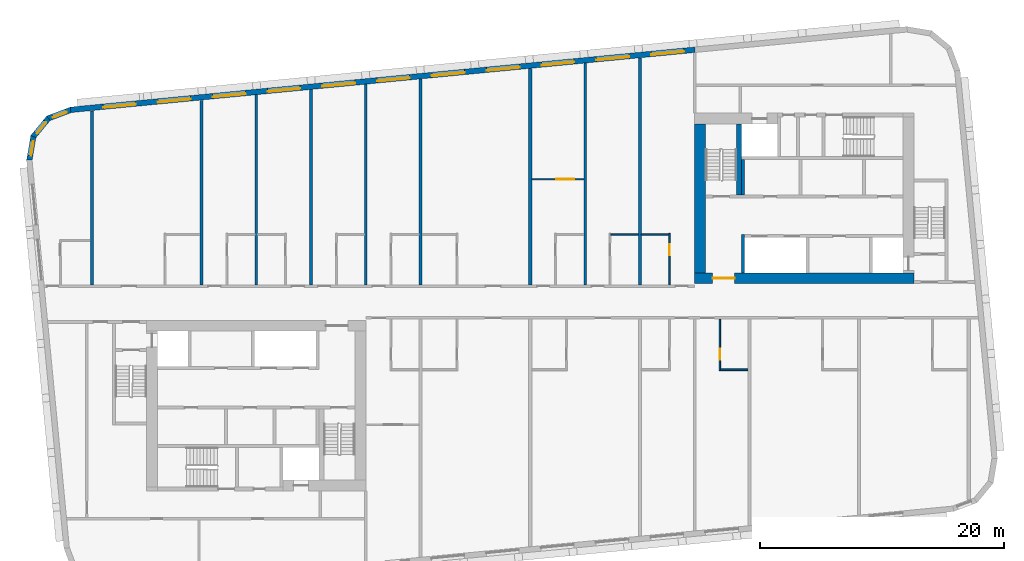
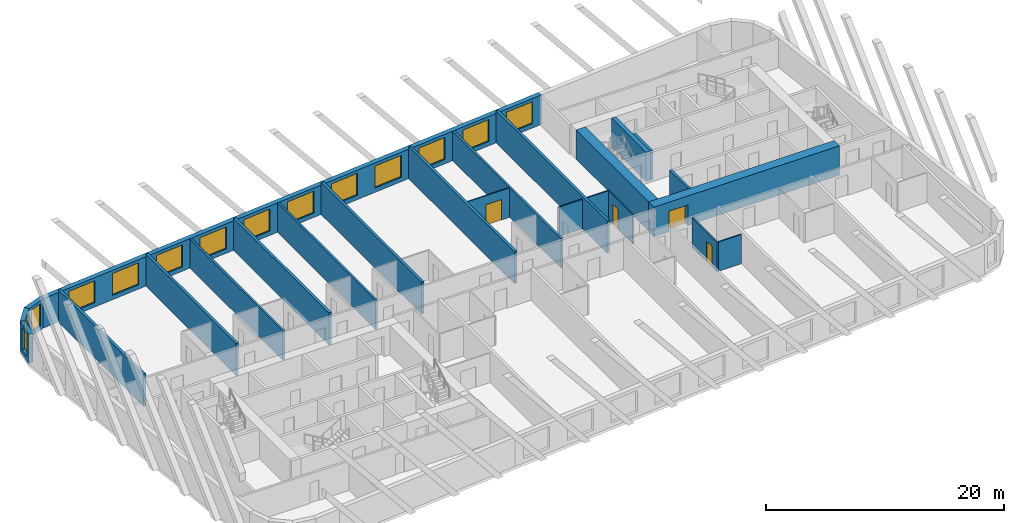
# One storey, part 5 of 12: 24 walls, 14 windows, 4 doors, 18 openings.
"""IFC4 building model written with IfcOpenShell, lengths in metres."""

from ifc_helpers import new_model, si_unit, direction, frame, frame_2d, origin, place, context, subcontext, project, spatial, polyline, rectangle, outline, extrude, material, layer, layer_set, type_object, element, fill, save


model = new_model("IFC4")

# Units and contexts
model_context = context("Model", 3, precision=1e-05, world=origin(), true_north=direction((0.0, 1.0)))
body_context = subcontext(model_context, "Body", "Model", "MODEL_VIEW")
ifc_project = project(units=[si_unit("LENGTHUNIT", "METRE"), si_unit("AREAUNIT", "SQUARE_METRE"), si_unit("VOLUMEUNIT", "CUBIC_METRE"), si_unit("PLANEANGLEUNIT", "RADIAN"), si_unit("MASSUNIT", "GRAM", prefix="KILO")], contexts=[model_context])

# Site, building, storey
site_placement = place(None, origin())
site = spatial("IfcSite", under=ifc_project, at=site_placement, CompositionType="ELEMENT")
building_placement = place(site_placement, origin())
building = spatial("IfcBuilding", under=site, at=building_placement, Name="Kajstack Hotel Tower", CompositionType="ELEMENT")
storey_placement = place(building_placement, frame((0.0, 0.0, 288.300048828125)))
storey = spatial("IfcBuildingStorey", under=building, at=storey_placement, Name="L72", CompositionType="ELEMENT", Elevation=288.300048828125)

# Wall, opening, door
ifc_material_1 = material(Name="Concrete C60/75", Category="concrete")
ifc_layer_1 = layer(ifc_material_1, 0.89990234375)
ifc_layer_set_1 = layer_set([ifc_layer_1], Name="Core wall 900")
wall_type_1 = type_object("IfcWallType", Name="Core wall 900", PredefinedType="SHEAR", material=ifc_layer_set_1)
wall_1_placement = place(storey_placement, frame((13.5, 1.949951171875, 0.0), z_axis=(0.0, 0.0, 1.0), x_axis=(1.0, 0.0, 0.0)))
wall_1 = element("IfcWall", 1, at=wall_1_placement, inside=storey, type_object=wall_type_1, Name="Core wall E RN", PredefinedType="SHEAR", context=body_context, shape_type="SweptSolid", body=[
    extrude(rectangle(XDim=18.0, YDim=0.89990234375, at=frame_2d((9.0, 0.0))), origin(), (0.0, 0.0, 1.0), 3.02001953125),
])
opening_1_placement = place(wall_1_placement, frame((1.47509765625, 0.0, 0.0)))
opening_1 = element("IfcOpeningElement", 2, at=opening_1_placement, cuts=wall_1, Name="Opening 72E05", PredefinedType="OPENING", context=body_context, shape_type="SweptSolid", body=[
    extrude(rectangle(XDim=1.800048828125, YDim=2.10009765625, at=frame_2d((0.89990234375, 1.050048828125))), frame((0.0, 0.4599609375, 0.0), z_axis=(0.0, -1.0, 0.0), x_axis=(1.0, 0.0, 0.0)), (0.0, 0.0, 1.0), 0.919921875),
])
ifc_material_2 = material(Name="Glazed steel frame, fire-rated glass", Category="steel")
door_type_1 = type_object("IfcDoorType", Name="Lobby double door 1800", OperationType="DOUBLE_DOOR_DOUBLE_SWING", PredefinedType="DOOR", material=ifc_material_2)
door_1_placement = place(opening_1_placement, origin())
door_1 = element("IfcDoor", 3, at=door_1_placement, inside=storey, type_object=door_type_1, Name="Door 72E05", OperationType="DOUBLE_DOOR_DOUBLE_SWING", OverallHeight=2.10009765625, OverallWidth=1.800048828125, PredefinedType="DOOR", context=body_context, shape_type="SweptSolid", body=[
    extrude(rectangle(XDim=1.800048828125, YDim=2.10009765625, at=frame_2d((0.89990234375, 1.050048828125))), frame((0.0, 0.02490234375, 0.0), z_axis=(0.0, -1.0, 0.0), x_axis=(1.0, 0.0, 0.0)), (0.0, 0.0, 1.0), 0.050048828125),
])
fill(opening_1, door_1)

# Walls
wall_2_placement = place(storey_placement, frame((13.949951171875, 2.39990234375, 0.0), z_axis=(0.0, 0.0, 1.0), x_axis=(0.0, 1.0, 0.0)))
element("IfcWall", 4, at=wall_2_placement, inside=storey, type_object=wall_type_1, Name="Core wall E RE", PredefinedType="SHEAR", context=body_context, shape_type="SweptSolid", body=[
    extrude(rectangle(XDim=12.2001953125, YDim=0.89990234375, at=frame_2d((6.10009765625, 0.0))), origin(), (0.0, 0.0, 1.0), 3.02001953125),
])
ifc_material_3 = material(Name="Twin-frame gypsum board on steel studs, mineral wool", Category="steel")
ifc_layer_2 = layer(ifc_material_3, 0.199951171875)
ifc_layer_set_2 = layer_set([ifc_layer_2], Name="Demising wall 200")
wall_type_2 = type_object("IfcWallType", Name="Demising wall 200", PredefinedType="PARTITIONING", material=ifc_layer_set_2)
wall_3_placement = place(storey_placement, frame((-22.5, 1.39990234375, 0.0), z_axis=(0.0, 0.0, 1.0), x_axis=(0.0, 1.0, 0.0)))
element("IfcWall", 5, at=wall_3_placement, inside=storey, type_object=wall_type_2, Name="G-wall-L72-008", PredefinedType="PARTITIONING", context=body_context, shape_type="SweptSolid", body=[
    extrude(rectangle(XDim=15.6181640625, YDim=0.199951171875, at=frame_2d((7.80908203125, 0.0))), origin(), (0.0, 0.0, 1.0), 3.02001953125),
])
wall_4_placement = place(storey_placement, frame((-13.5, 1.39990234375, 0.0), z_axis=(0.0, 0.0, 1.0), x_axis=(0.0, 1.0, 0.0)))
element("IfcWall", 6, at=wall_4_placement, inside=storey, type_object=wall_type_2, Name="G-wall-L72-013", PredefinedType="PARTITIONING", context=body_context, shape_type="SweptSolid", body=[
    extrude(rectangle(XDim=16.485107421875, YDim=0.199951171875, at=frame_2d((8.24267578125, 0.0))), origin(), (0.0, 0.0, 1.0), 3.02001953125),
])
wall_5_placement = place(storey_placement, frame((4.5, 1.39990234375, 0.0), z_axis=(0.0, 0.0, 1.0), x_axis=(0.0, 1.0, 0.0)))
element("IfcWall", 7, at=wall_5_placement, inside=storey, type_object=wall_type_2, Name="G-wall-L72-020", PredefinedType="PARTITIONING", context=body_context, shape_type="SweptSolid", body=[
    extrude(rectangle(XDim=18.218017578125, YDim=0.199951171875, at=frame_2d((9.10888671875, 0.0))), origin(), (0.0, 0.0, 1.0), 3.02001953125),
])

# Wall, openings, windows
ifc_material_4 = material(Name="Terracotta-faced brick masonry", Category="masonry")
ifc_layer_3 = layer(ifc_material_4, 0.449951171875)
ifc_layer_set_3 = layer_set([ifc_layer_3], Name="EW-TERRA")
wall_type_3 = type_object("IfcWallType", Name="EW-TERRA", PredefinedType="SOLIDWALL", material=ifc_layer_set_3)
wall_6_placement = place(storey_placement, frame((13.521484375, 20.712890625, 0.0), z_axis=(0.0, 0.0, 1.0), x_axis=(-0.995396277313, -0.095844932638, 0.0)))
wall_6 = element("IfcWall", 8, at=wall_6_placement, inside=storey, type_object=wall_type_3, Name="E-wall-L72-12-01", PredefinedType="SOLIDWALL", context=body_context, shape_type="SweptSolid", body=[
    extrude(rectangle(XDim=51.4951171875, YDim=0.449951171875, at=frame_2d((25.74755859375, 0.0))), origin(), (0.0, 0.0, 1.0), 3.02001953125),
])
opening_2_placement = place(wall_6_placement, frame((0.910400390625, 0.0, 0.449951171875)))
opening_2 = element("IfcOpeningElement", 9, at=opening_2_placement, cuts=wall_6, Name="Opening W1", PredefinedType="OPENING", context=body_context, shape_type="SweptSolid", body=[
    extrude(rectangle(XDim=2.699951171875, YDim=2.25, at=frame_2d((1.35009765625, 1.125))), frame((0.0, 0.23486328125, 0.0), z_axis=(0.0, -1.0, 0.0), x_axis=(1.0, 0.0, 0.0)), (0.0, 0.0, 1.0), 0.469970703125),
])
opening_3_placement = place(wall_6_placement, frame((5.43115234375, 0.0, 0.449951171875)))
opening_3 = element("IfcOpeningElement", 10, at=opening_3_placement, cuts=wall_6, Name="Opening W1", PredefinedType="OPENING", context=body_context, shape_type="SweptSolid", body=[
    extrude(rectangle(XDim=2.699951171875, YDim=2.25, at=frame_2d((1.35009765625, 1.125))), frame((0.0, 0.23486328125, 0.0), z_axis=(0.0, -1.0, 0.0), x_axis=(1.0, 0.0, 0.0)), (0.0, 0.0, 1.0), 0.469970703125),
])
opening_4_placement = place(wall_6_placement, frame((9.951904296875, 0.0, 0.449951171875)))
opening_4 = element("IfcOpeningElement", 11, at=opening_4_placement, cuts=wall_6, Name="Opening W1", PredefinedType="OPENING", context=body_context, shape_type="SweptSolid", body=[
    extrude(rectangle(XDim=2.699951171875, YDim=2.25, at=frame_2d((1.35009765625, 1.125))), frame((0.0, 0.23486328125, 0.0), z_axis=(0.0, -1.0, 0.0), x_axis=(1.0, 0.0, 0.0)), (0.0, 0.0, 1.0), 0.469970703125),
])
opening_5_placement = place(wall_6_placement, frame((14.472900390625, 0.0, 0.449951171875)))
opening_5 = element("IfcOpeningElement", 12, at=opening_5_placement, cuts=wall_6, Name="Opening W1", PredefinedType="OPENING", context=body_context, shape_type="SweptSolid", body=[
    extrude(rectangle(XDim=2.699951171875, YDim=2.25, at=frame_2d((1.35009765625, 1.125))), frame((0.0, 0.23486328125, 0.0), z_axis=(0.0, -1.0, 0.0), x_axis=(1.0, 0.0, 0.0)), (0.0, 0.0, 1.0), 0.469970703125),
])
opening_6_placement = place(wall_6_placement, frame((18.99365234375, 0.0, 0.449951171875)))
opening_6 = element("IfcOpeningElement", 13, at=opening_6_placement, cuts=wall_6, Name="Opening W1", PredefinedType="OPENING", context=body_context, shape_type="SweptSolid", body=[
    extrude(rectangle(XDim=2.699951171875, YDim=2.25, at=frame_2d((1.35009765625, 1.125))), frame((0.0, 0.23486328125, 0.0), z_axis=(0.0, -1.0, 0.0), x_axis=(1.0, 0.0, 0.0)), (0.0, 0.0, 1.0), 0.469970703125),
])
opening_7_placement = place(wall_6_placement, frame((23.514404296875, 0.0, 0.449951171875)))
opening_7 = element("IfcOpeningElement", 14, at=opening_7_placement, cuts=wall_6, Name="Opening W1", PredefinedType="OPENING", context=body_context, shape_type="SweptSolid", body=[
    extrude(rectangle(XDim=2.699951171875, YDim=2.25, at=frame_2d((1.35009765625, 1.125))), frame((0.0, 0.23486328125, 0.0), z_axis=(0.0, -1.0, 0.0), x_axis=(1.0, 0.0, 0.0)), (0.0, 0.0, 1.0), 0.469970703125),
])
opening_8_placement = place(wall_6_placement, frame((28.035400390625, 0.0, 0.449951171875)))
opening_8 = element("IfcOpeningElement", 15, at=opening_8_placement, cuts=wall_6, Name="Opening W1", PredefinedType="OPENING", context=body_context, shape_type="SweptSolid", body=[
    extrude(rectangle(XDim=2.699951171875, YDim=2.25, at=frame_2d((1.35009765625, 1.125))), frame((0.0, 0.23486328125, 0.0), z_axis=(0.0, -1.0, 0.0), x_axis=(1.0, 0.0, 0.0)), (0.0, 0.0, 1.0), 0.469970703125),
])
opening_9_placement = place(wall_6_placement, frame((32.55615234375, 0.0, 0.449951171875)))
opening_9 = element("IfcOpeningElement", 16, at=opening_9_placement, cuts=wall_6, Name="Opening W1", PredefinedType="OPENING", context=body_context, shape_type="SweptSolid", body=[
    extrude(rectangle(XDim=2.699951171875, YDim=2.25, at=frame_2d((1.35009765625, 1.125))), frame((0.0, 0.23486328125, 0.0), z_axis=(0.0, -1.0, 0.0), x_axis=(1.0, 0.0, 0.0)), (0.0, 0.0, 1.0), 0.469970703125),
])
opening_10_placement = place(wall_6_placement, frame((37.076904296875, 0.0, 0.449951171875)))
opening_10 = element("IfcOpeningElement", 17, at=opening_10_placement, cuts=wall_6, Name="Opening W1", PredefinedType="OPENING", context=body_context, shape_type="SweptSolid", body=[
    extrude(rectangle(XDim=2.699951171875, YDim=2.25, at=frame_2d((1.35009765625, 1.125))), frame((0.0, 0.23486328125, 0.0), z_axis=(0.0, -1.0, 0.0), x_axis=(1.0, 0.0, 0.0)), (0.0, 0.0, 1.0), 0.469970703125),
])
opening_11_placement = place(wall_6_placement, frame((41.59765625, 0.0, 0.449951171875)))
opening_11 = element("IfcOpeningElement", 18, at=opening_11_placement, cuts=wall_6, Name="Opening W1", PredefinedType="OPENING", context=body_context, shape_type="SweptSolid", body=[
    extrude(rectangle(XDim=2.699951171875, YDim=2.25, at=frame_2d((1.35009765625, 1.125))), frame((0.0, 0.23486328125, 0.0), z_axis=(0.0, -1.0, 0.0), x_axis=(1.0, 0.0, 0.0)), (0.0, 0.0, 1.0), 0.469970703125),
])
opening_12_placement = place(wall_6_placement, frame((46.118408203125, 0.0, 0.449951171875)))
opening_12 = element("IfcOpeningElement", 19, at=opening_12_placement, cuts=wall_6, Name="Opening W1", PredefinedType="OPENING", context=body_context, shape_type="SweptSolid", body=[
    extrude(rectangle(XDim=2.699951171875, YDim=2.25, at=frame_2d((1.35009765625, 1.125))), frame((0.0, 0.23486328125, 0.0), z_axis=(0.0, -1.0, 0.0), x_axis=(1.0, 0.0, 0.0)), (0.0, 0.0, 1.0), 0.469970703125),
])
ifc_material_5 = material(Name="Timber-aluminium window, triple glazed", Category="wood")
window_type_1 = type_object("IfcWindowType", Name="WG1", PartitioningType="SINGLE_PANEL", PredefinedType="WINDOW", material=ifc_material_5)
window_1_placement = place(opening_2_placement, origin())
window_1 = element("IfcWindow", 20, at=window_1_placement, inside=storey, type_object=window_type_1, Name="Window W1 L72-12", OverallHeight=2.25, OverallWidth=2.699951171875, PartitioningType="SINGLE_PANEL", PredefinedType="WINDOW", context=body_context, shape_type="SweptSolid", body=[
    extrude(rectangle(XDim=2.699951171875, YDim=2.25, at=frame_2d((1.35009765625, 1.125))), frame((0.0, 0.090087890625, 0.0), z_axis=(0.0, -1.0, 0.0), x_axis=(1.0, 0.0, 0.0)), (0.0, 0.0, 1.0), 0.06005859375),
])
fill(opening_2, window_1)
window_2_placement = place(opening_3_placement, origin())
window_2 = element("IfcWindow", 21, at=window_2_placement, inside=storey, type_object=window_type_1, Name="Window W1 L72-12", OverallHeight=2.25, OverallWidth=2.699951171875, PartitioningType="SINGLE_PANEL", PredefinedType="WINDOW", context=body_context, shape_type="SweptSolid", body=[
    extrude(rectangle(XDim=2.699951171875, YDim=2.25, at=frame_2d((1.35009765625, 1.125))), frame((0.0, 0.090087890625, 0.0), z_axis=(0.0, -1.0, 0.0), x_axis=(1.0, 0.0, 0.0)), (0.0, 0.0, 1.0), 0.06005859375),
])
fill(opening_3, window_2)
window_3_placement = place(opening_4_placement, origin())
window_3 = element("IfcWindow", 22, at=window_3_placement, inside=storey, type_object=window_type_1, Name="Window W1 L72-12", OverallHeight=2.25, OverallWidth=2.699951171875, PartitioningType="SINGLE_PANEL", PredefinedType="WINDOW", context=body_context, shape_type="SweptSolid", body=[
    extrude(rectangle(XDim=2.699951171875, YDim=2.25, at=frame_2d((1.35009765625, 1.125))), frame((0.0, 0.090087890625, 0.0), z_axis=(0.0, -1.0, 0.0), x_axis=(1.0, 0.0, 0.0)), (0.0, 0.0, 1.0), 0.06005859375),
])
fill(opening_4, window_3)
window_4_placement = place(opening_5_placement, origin())
window_4 = element("IfcWindow", 23, at=window_4_placement, inside=storey, type_object=window_type_1, Name="Window W1 L72-12", OverallHeight=2.25, OverallWidth=2.699951171875, PartitioningType="SINGLE_PANEL", PredefinedType="WINDOW", context=body_context, shape_type="SweptSolid", body=[
    extrude(rectangle(XDim=2.699951171875, YDim=2.25, at=frame_2d((1.35009765625, 1.125))), frame((0.0, 0.090087890625, 0.0), z_axis=(0.0, -1.0, 0.0), x_axis=(1.0, 0.0, 0.0)), (0.0, 0.0, 1.0), 0.06005859375),
])
fill(opening_5, window_4)
window_5_placement = place(opening_6_placement, origin())
window_5 = element("IfcWindow", 24, at=window_5_placement, inside=storey, type_object=window_type_1, Name="Window W1 L72-12", OverallHeight=2.25, OverallWidth=2.699951171875, PartitioningType="SINGLE_PANEL", PredefinedType="WINDOW", context=body_context, shape_type="SweptSolid", body=[
    extrude(rectangle(XDim=2.699951171875, YDim=2.25, at=frame_2d((1.35009765625, 1.125))), frame((0.0, 0.090087890625, 0.0), z_axis=(0.0, -1.0, 0.0), x_axis=(1.0, 0.0, 0.0)), (0.0, 0.0, 1.0), 0.06005859375),
])
fill(opening_6, window_5)
window_6_placement = place(opening_7_placement, origin())
window_6 = element("IfcWindow", 25, at=window_6_placement, inside=storey, type_object=window_type_1, Name="Window W1 L72-12", OverallHeight=2.25, OverallWidth=2.699951171875, PartitioningType="SINGLE_PANEL", PredefinedType="WINDOW", context=body_context, shape_type="SweptSolid", body=[
    extrude(rectangle(XDim=2.699951171875, YDim=2.25, at=frame_2d((1.35009765625, 1.125))), frame((0.0, 0.090087890625, 0.0), z_axis=(0.0, -1.0, 0.0), x_axis=(1.0, 0.0, 0.0)), (0.0, 0.0, 1.0), 0.06005859375),
])
fill(opening_7, window_6)
window_7_placement = place(opening_8_placement, origin())
window_7 = element("IfcWindow", 26, at=window_7_placement, inside=storey, type_object=window_type_1, Name="Window W1 L72-12", OverallHeight=2.25, OverallWidth=2.699951171875, PartitioningType="SINGLE_PANEL", PredefinedType="WINDOW", context=body_context, shape_type="SweptSolid", body=[
    extrude(rectangle(XDim=2.699951171875, YDim=2.25, at=frame_2d((1.35009765625, 1.125))), frame((0.0, 0.090087890625, 0.0), z_axis=(0.0, -1.0, 0.0), x_axis=(1.0, 0.0, 0.0)), (0.0, 0.0, 1.0), 0.06005859375),
])
fill(opening_8, window_7)
window_8_placement = place(opening_9_placement, origin())
window_8 = element("IfcWindow", 27, at=window_8_placement, inside=storey, type_object=window_type_1, Name="Window W1 L72-12", OverallHeight=2.25, OverallWidth=2.699951171875, PartitioningType="SINGLE_PANEL", PredefinedType="WINDOW", context=body_context, shape_type="SweptSolid", body=[
    extrude(rectangle(XDim=2.699951171875, YDim=2.25, at=frame_2d((1.35009765625, 1.125))), frame((0.0, 0.090087890625, 0.0), z_axis=(0.0, -1.0, 0.0), x_axis=(1.0, 0.0, 0.0)), (0.0, 0.0, 1.0), 0.06005859375),
])
fill(opening_9, window_8)
window_9_placement = place(opening_10_placement, origin())
window_9 = element("IfcWindow", 28, at=window_9_placement, inside=storey, type_object=window_type_1, Name="Window W1 L72-12", OverallHeight=2.25, OverallWidth=2.699951171875, PartitioningType="SINGLE_PANEL", PredefinedType="WINDOW", context=body_context, shape_type="SweptSolid", body=[
    extrude(rectangle(XDim=2.699951171875, YDim=2.25, at=frame_2d((1.35009765625, 1.125))), frame((0.0, 0.090087890625, 0.0), z_axis=(0.0, -1.0, 0.0), x_axis=(1.0, 0.0, 0.0)), (0.0, 0.0, 1.0), 0.06005859375),
])
fill(opening_10, window_9)
window_10_placement = place(opening_11_placement, origin())
window_10 = element("IfcWindow", 29, at=window_10_placement, inside=storey, type_object=window_type_1, Name="Window W1 L72-12", OverallHeight=2.25, OverallWidth=2.699951171875, PartitioningType="SINGLE_PANEL", PredefinedType="WINDOW", context=body_context, shape_type="SweptSolid", body=[
    extrude(rectangle(XDim=2.699951171875, YDim=2.25, at=frame_2d((1.35009765625, 1.125))), frame((0.0, 0.090087890625, 0.0), z_axis=(0.0, -1.0, 0.0), x_axis=(1.0, 0.0, 0.0)), (0.0, 0.0, 1.0), 0.06005859375),
])
fill(opening_11, window_10)
window_11_placement = place(opening_12_placement, origin())
window_11 = element("IfcWindow", 30, at=window_11_placement, inside=storey, type_object=window_type_1, Name="Window W1 L72-12", OverallHeight=2.25, OverallWidth=2.699951171875, PartitioningType="SINGLE_PANEL", PredefinedType="WINDOW", context=body_context, shape_type="SweptSolid", body=[
    extrude(rectangle(XDim=2.699951171875, YDim=2.25, at=frame_2d((1.35009765625, 1.125))), frame((0.0, 0.090087890625, 0.0), z_axis=(0.0, -1.0, 0.0), x_axis=(1.0, 0.0, 0.0)), (0.0, 0.0, 1.0), 0.06005859375),
])
fill(opening_12, window_11)

# Wall, opening, window
wall_7_placement = place(storey_placement, frame((-37.67919921875, 15.79052734375, 0.0), z_axis=(0.0, 0.0, 1.0), x_axis=(-0.936677599948, -0.350192909346, 0.0)))
wall_7 = element("IfcWall", 31, at=wall_7_placement, inside=storey, type_object=wall_type_3, Name="E-wall-L72-13-00", PredefinedType="SOLIDWALL", context=body_context, shape_type="SweptSolid", body=[
    extrude(outline(polyline([(0.000244140625, -0.224853515625), (2.070556640625, -0.224853515625), (1.949951171875, 0.22509765625), (0.12060546875, 0.22509765625), (0.000244140625, -0.224853515625)])), origin(), (0.0, 0.0, 1.0), 3.02001953125),
])
opening_13_placement = place(wall_7_placement, frame((0.435302734375, 0.0, 0.449951171875)))
opening_13 = element("IfcOpeningElement", 32, at=opening_13_placement, cuts=wall_7, Name="Opening W3", PredefinedType="OPENING", context=body_context, shape_type="SweptSolid", body=[
    extrude(rectangle(XDim=1.199951171875, YDim=2.25, at=frame_2d((0.60009765625, 1.125))), frame((0.0, 0.23486328125, 0.0), z_axis=(0.0, -1.0, 0.0), x_axis=(1.0, 0.0, 0.0)), (0.0, 0.0, 1.0), 0.469970703125),
])
window_type_2 = type_object("IfcWindowType", Name="WG3", PartitioningType="SINGLE_PANEL", PredefinedType="WINDOW", material=ifc_material_5)
window_12_placement = place(opening_13_placement, origin())
window_12 = element("IfcWindow", 33, at=window_12_placement, inside=storey, type_object=window_type_2, Name="Window W3 L72-13", OverallHeight=2.25, OverallWidth=1.199951171875, PartitioningType="SINGLE_PANEL", PredefinedType="WINDOW", context=body_context, shape_type="SweptSolid", body=[
    extrude(rectangle(XDim=1.199951171875, YDim=2.25, at=frame_2d((0.60009765625, 1.125))), frame((0.0, 0.090087890625, 0.0), z_axis=(0.0, -1.0, 0.0), x_axis=(1.0, 0.0, 0.0)), (0.0, 0.0, 1.0), 0.06005859375),
])
fill(opening_13, window_12)

wall_8_placement = place(storey_placement, frame((-39.52392578125, 15.133056640625, 0.0), z_axis=(0.0, 0.0, 1.0), x_axis=(-0.636046112757, -0.771651049663, 0.0)))
wall_8 = element("IfcWall", 34, at=wall_8_placement, inside=storey, type_object=wall_type_3, Name="E-wall-L72-14-00", PredefinedType="SOLIDWALL", context=body_context, shape_type="SweptSolid", body=[
    extrude(outline(polyline([(0.0, -0.224853515625), (2.070556640625, -0.224853515625), (1.949951171875, 0.22509765625), (0.12060546875, 0.22509765625), (0.0, -0.224853515625)])), origin(), (0.0, 0.0, 1.0), 3.02001953125),
])
opening_14_placement = place(wall_8_placement, frame((0.435302734375, 0.0, 0.449951171875)))
opening_14 = element("IfcOpeningElement", 35, at=opening_14_placement, cuts=wall_8, Name="Opening W3", PredefinedType="OPENING", context=body_context, shape_type="SweptSolid", body=[
    extrude(rectangle(XDim=1.199951171875, YDim=2.25, at=frame_2d((0.60009765625, 1.125))), frame((0.0, 0.23486328125, 0.0), z_axis=(0.0, -1.0, 0.0), x_axis=(1.0, 0.0, 0.0)), (0.0, 0.0, 1.0), 0.469970703125),
])
window_13_placement = place(opening_14_placement, origin())
window_13 = element("IfcWindow", 36, at=window_13_placement, inside=storey, type_object=window_type_2, Name="Window W3 L72-14", OverallHeight=2.25, OverallWidth=1.199951171875, PartitioningType="SINGLE_PANEL", PredefinedType="WINDOW", context=body_context, shape_type="SweptSolid", body=[
    extrude(rectangle(XDim=1.199951171875, YDim=2.25, at=frame_2d((0.60009765625, 1.125))), frame((0.0, 0.090087890625, 0.0), z_axis=(0.0, -1.0, 0.0), x_axis=(1.0, 0.0, 0.0)), (0.0, 0.0, 1.0), 0.06005859375),
])
fill(opening_14, window_13)

wall_9_placement = place(storey_placement, frame((-40.79248046875, 13.641357421875, 0.0), z_axis=(0.0, 0.0, 1.0), x_axis=(-0.165068144653, -0.986282164302, 0.0)))
wall_9 = element("IfcWall", 37, at=wall_9_placement, inside=storey, type_object=wall_type_3, Name="E-wall-L72-15-00", PredefinedType="SOLIDWALL", context=body_context, shape_type="SweptSolid", body=[
    extrude(outline(polyline([(0.0, -0.22509765625), (2.070556640625, -0.22509765625), (1.949951171875, 0.224853515625), (0.12060546875, 0.224853515625), (0.0, -0.22509765625)])), origin(), (0.0, 0.0, 1.0), 3.02001953125),
])
opening_15_placement = place(wall_9_placement, frame((0.435302734375, 0.0, 0.449951171875)))
opening_15 = element("IfcOpeningElement", 38, at=opening_15_placement, cuts=wall_9, Name="Opening W3", PredefinedType="OPENING", context=body_context, shape_type="SweptSolid", body=[
    extrude(rectangle(XDim=1.199951171875, YDim=2.25, at=frame_2d((0.60009765625, 1.125))), frame((0.0, 0.23486328125, 0.0), z_axis=(0.0, -1.0, 0.0), x_axis=(1.0, 0.0, 0.0)), (0.0, 0.0, 1.0), 0.469970703125),
])
window_14_placement = place(opening_15_placement, origin())
window_14 = element("IfcWindow", 39, at=window_14_placement, inside=storey, type_object=window_type_2, Name="Window W3 L72-15", OverallHeight=2.25, OverallWidth=1.199951171875, PartitioningType="SINGLE_PANEL", PredefinedType="WINDOW", context=body_context, shape_type="SweptSolid", body=[
    extrude(rectangle(XDim=1.199951171875, YDim=2.25, at=frame_2d((0.60009765625, 1.125))), frame((0.0, 0.090087890625, 0.0), z_axis=(0.0, -1.0, 0.0), x_axis=(1.0, 0.0, 0.0)), (0.0, 0.0, 1.0), 0.06005859375),
])
fill(opening_15, window_14)

# Wall
ifc_material_6 = material(Name="Gypsum board and tiled backer on steel studs", Category="steel")
ifc_layer_4 = layer(ifc_material_6, 0.125)
ifc_layer_set_4 = layer_set([ifc_layer_4], Name="En-suite wall 125")
wall_type_4 = type_object("IfcWallType", Name="En-suite wall 125", PredefinedType="PARTITIONING", material=ifc_layer_set_4)
wall_10_placement = place(storey_placement, frame((6.625, 5.56201171875, 0.0), z_axis=(0.0, 0.0, 1.0), x_axis=(1.0, 0.0, 0.0)))
element("IfcWall", 40, at=wall_10_placement, inside=storey, type_object=wall_type_4, Name="G-wall-L72-025", PredefinedType="PARTITIONING", context=body_context, shape_type="SweptSolid", body=[
    extrude(rectangle(XDim=2.25, YDim=0.125, at=frame_2d((1.125, 0.0))), origin(), (0.0, 0.0, 1.0), 3.02001953125),
])

# Wall, opening, door
wall_11_placement = place(storey_placement, frame((11.43798828125, 1.39990234375, 0.0), z_axis=(0.0, 0.0, 1.0), x_axis=(0.0, 1.0, 0.0)))
wall_11 = element("IfcWall", 41, at=wall_11_placement, inside=storey, type_object=wall_type_4, Name="G-wall-L72-026", PredefinedType="PARTITIONING", context=body_context, shape_type="SweptSolid", body=[
    extrude(rectangle(XDim=4.22509765625, YDim=0.125, at=frame_2d((2.112548828125, 0.0))), origin(), (0.0, 0.0, 1.0), 3.02001953125),
])
opening_16_placement = place(wall_11_placement, frame((2.449951171875, 0.0, 0.0)))
opening_16 = element("IfcOpeningElement", 42, at=opening_16_placement, cuts=wall_11, Name="Opening 72021", PredefinedType="OPENING", context=body_context, shape_type="SweptSolid", body=[
    extrude(rectangle(XDim=0.89990234375, YDim=2.10009765625, at=frame_2d((0.449951171875, 1.050048828125))), frame((0.0, 0.072509765625, 0.0), z_axis=(0.0, -1.0, 0.0), x_axis=(1.0, 0.0, 0.0)), (0.0, 0.0, 1.0), 0.14501953125),
])
ifc_material_7 = material(Name="Painted timber door leaf", Category="wood")
door_type_2 = type_object("IfcDoorType", Name="Room door 900", OperationType="SINGLE_SWING_LEFT", PredefinedType="DOOR", material=ifc_material_7)
door_2_placement = place(opening_16_placement, origin())
door_2 = element("IfcDoor", 43, at=door_2_placement, inside=storey, type_object=door_type_2, Name="G-door-L72-21", OperationType="SINGLE_SWING_LEFT", OverallHeight=2.10009765625, OverallWidth=0.89990234375, PredefinedType="DOOR", context=body_context, shape_type="SweptSolid", body=[
    extrude(rectangle(XDim=0.89990234375, YDim=2.10009765625, at=frame_2d((0.449951171875, 1.050048828125))), frame((0.0, 0.02490234375, 0.0), z_axis=(0.0, -1.0, 0.0), x_axis=(1.0, 0.0, 0.0)), (0.0, 0.0, 1.0), 0.050048828125),
])
fill(opening_16, door_2)

# Wall
wall_12_placement = place(storey_placement, frame((9.125, 5.56201171875, 0.0), z_axis=(0.0, 0.0, 1.0), x_axis=(1.0, 0.0, 0.0)))
element("IfcWall", 44, at=wall_12_placement, inside=storey, type_object=wall_type_4, Name="G-wall-L72-027", PredefinedType="PARTITIONING", context=body_context, shape_type="SweptSolid", body=[
    extrude(rectangle(XDim=2.25, YDim=0.125, at=frame_2d((1.125, 0.0))), origin(), (0.0, 0.0, 1.0), 3.02001953125),
])

# Wall, opening, door
wall_13_placement = place(storey_placement, frame((15.56201171875, -5.625, 0.0), z_axis=(0.0, 0.0, 1.0), x_axis=(0.0, 1.0, 0.0)))
wall_13 = element("IfcWall", 45, at=wall_13_placement, inside=storey, type_object=wall_type_4, Name="G-wall-L72-039", PredefinedType="PARTITIONING", context=body_context, shape_type="SweptSolid", body=[
    extrude(rectangle(XDim=4.22509765625, YDim=0.125, at=frame_2d((2.112548828125, 0.0))), origin(), (0.0, 0.0, 1.0), 3.02001953125),
])
opening_17_placement = place(wall_13_placement, frame((0.875, 0.0, 0.0)))
opening_17 = element("IfcOpeningElement", 46, at=opening_17_placement, cuts=wall_13, Name="Opening 72032", PredefinedType="OPENING", context=body_context, shape_type="SweptSolid", body=[
    extrude(rectangle(XDim=0.89990234375, YDim=2.10009765625, at=frame_2d((0.449951171875, 1.050048828125))), frame((0.0, 0.072509765625, 0.0), z_axis=(0.0, -1.0, 0.0), x_axis=(1.0, 0.0, 0.0)), (0.0, 0.0, 1.0), 0.14501953125),
])
door_3_placement = place(opening_17_placement, origin())
door_3 = element("IfcDoor", 47, at=door_3_placement, inside=storey, type_object=door_type_2, Name="G-door-L72-32", OperationType="SINGLE_SWING_LEFT", OverallHeight=2.10009765625, OverallWidth=0.89990234375, PredefinedType="DOOR", context=body_context, shape_type="SweptSolid", body=[
    extrude(rectangle(XDim=0.89990234375, YDim=2.10009765625, at=frame_2d((0.449951171875, 1.050048828125))), frame((0.0, 0.02490234375, 0.0), z_axis=(0.0, -1.0, 0.0), x_axis=(1.0, 0.0, 0.0)), (0.0, 0.0, 1.0), 0.050048828125),
])
fill(opening_17, door_3)

# Wall
wall_14_placement = place(storey_placement, frame((15.625, -5.56201171875, 0.0), z_axis=(0.0, 0.0, 1.0), x_axis=(1.0, 0.0, 0.0)))
element("IfcWall", 48, at=wall_14_placement, inside=storey, type_object=wall_type_4, Name="G-wall-L72-040", PredefinedType="PARTITIONING", context=body_context, shape_type="SweptSolid", body=[
    extrude(rectangle(XDim=2.25, YDim=0.125, at=frame_2d((1.125, 0.0))), origin(), (0.0, 0.0, 1.0), 3.02001953125),
])

# Wall, opening, door
ifc_material_8 = material(Name="Gypsum board on steel studs", Category="steel")
ifc_layer_5 = layer(ifc_material_8, 0.10009765625)
ifc_layer_set_5 = layer_set([ifc_layer_5], Name="Partition 100")
wall_type_5 = type_object("IfcWallType", Name="Partition 100", PredefinedType="PARTITIONING", material=ifc_layer_set_5)
wall_15_placement = place(storey_placement, frame((0.125, 10.074951171875, 0.0), z_axis=(0.0, 0.0, 1.0), x_axis=(1.0, 0.0, 0.0)))
wall_15 = element("IfcWall", 49, at=wall_15_placement, inside=storey, type_object=wall_type_5, Name="G-wall-L72-023", PredefinedType="PARTITIONING", context=body_context, shape_type="SweptSolid", body=[
    extrude(rectangle(XDim=4.27490234375, YDim=0.10009765625, at=frame_2d((2.137451171875, 0.0))), origin(), (0.0, 0.0, 1.0), 3.02001953125),
])
opening_18_placement = place(wall_15_placement, frame((1.988037109375, 0.0, 0.0)))
opening_18 = element("IfcOpeningElement", 50, at=opening_18_placement, cuts=wall_15, Name="Opening 72017", PredefinedType="OPENING", context=body_context, shape_type="SweptSolid", body=[
    extrude(rectangle(XDim=1.5, YDim=2.10009765625, at=frame_2d((0.75, 1.050048828125))), frame((0.0, 0.06005859375, 0.0), z_axis=(0.0, -1.0, 0.0), x_axis=(1.0, 0.0, 0.0)), (0.0, 0.0, 1.0), 0.1201171875),
])
ifc_material_9 = material(Name="Painted timber door leaves, glazed panels", Category="wood")
door_type_3 = type_object("IfcDoorType", Name="Double door 1500", OperationType="SINGLE_SWING_LEFT", PredefinedType="DOOR", material=ifc_material_9)
door_4_placement = place(opening_18_placement, origin())
door_4 = element("IfcDoor", 51, at=door_4_placement, inside=storey, type_object=door_type_3, Name="G-door-L72-17", OperationType="SINGLE_SWING_RIGHT", OverallHeight=2.10009765625, OverallWidth=1.5, PredefinedType="DOOR", context=body_context, shape_type="SweptSolid", body=[
    extrude(rectangle(XDim=1.5, YDim=2.10009765625, at=frame_2d((0.75, 1.050048828125))), frame((0.0, 0.02490234375, 0.0), z_axis=(0.0, -1.0, 0.0), x_axis=(1.0, 0.0, 0.0)), (0.0, 0.0, 1.0), 0.050048828125),
])
fill(opening_18, door_4)

# Walls
ifc_material_10 = material(Name="Concrete C40/50", Category="concrete")
ifc_layer_6 = layer(ifc_material_10, 0.25)
ifc_layer_set_6 = layer_set([ifc_layer_6], Name="RC cross wall 250 C40/50")
wall_type_6 = type_object("IfcWallType", Name="RC cross wall 250 C40/50", PredefinedType="SHEAR", material=ifc_layer_set_6)
wall_16_placement = place(storey_placement, frame((-36.0, 1.39990234375, 0.0), z_axis=(0.0, 0.0, 1.0), x_axis=(0.0, 1.0, 0.0)))
element("IfcWall", 52, at=wall_16_placement, inside=storey, type_object=wall_type_6, Name="S-wall-L72-01", PredefinedType="SHEAR", context=body_context, shape_type="SweptSolid", body=[
    extrude(rectangle(XDim=14.29638671875, YDim=0.25, at=frame_2d((7.148193359375, 0.0))), origin(), (0.0, 0.0, 1.0), 3.300048828125),
])
wall_17_placement = place(storey_placement, frame((-27.0, 1.39990234375, 0.0), z_axis=(0.0, 0.0, 1.0), x_axis=(0.0, 1.0, 0.0)))
element("IfcWall", 53, at=wall_17_placement, inside=storey, type_object=wall_type_6, Name="S-wall-L72-02", PredefinedType="SHEAR", context=body_context, shape_type="SweptSolid", body=[
    extrude(rectangle(XDim=15.1630859375, YDim=0.25, at=frame_2d((7.58154296875, 0.0))), origin(), (0.0, 0.0, 1.0), 3.300048828125),
])
wall_18_placement = place(storey_placement, frame((-18.0, 1.39990234375, 0.0), z_axis=(0.0, 0.0, 1.0), x_axis=(0.0, 1.0, 0.0)))
element("IfcWall", 54, at=wall_18_placement, inside=storey, type_object=wall_type_6, Name="S-wall-L72-03", PredefinedType="SHEAR", context=body_context, shape_type="SweptSolid", body=[
    extrude(rectangle(XDim=16.029541015625, YDim=0.25, at=frame_2d((8.0146484375, 0.0))), origin(), (0.0, 0.0, 1.0), 3.300048828125),
])
wall_19_placement = place(storey_placement, frame((-9.0, 1.39990234375, 0.0), z_axis=(0.0, 0.0, 1.0), x_axis=(0.0, 1.0, 0.0)))
element("IfcWall", 55, at=wall_19_placement, inside=storey, type_object=wall_type_6, Name="S-wall-L72-05", PredefinedType="SHEAR", context=body_context, shape_type="SweptSolid", body=[
    extrude(rectangle(XDim=16.896240234375, YDim=0.25, at=frame_2d((8.4482421875, 0.0))), origin(), (0.0, 0.0, 1.0), 3.300048828125),
])
wall_20_placement = place(storey_placement, frame((0.0, 1.39990234375, 0.0), z_axis=(0.0, 0.0, 1.0), x_axis=(0.0, 1.0, 0.0)))
element("IfcWall", 56, at=wall_20_placement, inside=storey, type_object=wall_type_6, Name="S-wall-L72-07", PredefinedType="SHEAR", context=body_context, shape_type="SweptSolid", body=[
    extrude(rectangle(XDim=17.7626953125, YDim=0.25, at=frame_2d((8.88134765625, 0.0))), origin(), (0.0, 0.0, 1.0), 3.300048828125),
])
wall_21_placement = place(storey_placement, frame((9.0, 1.39990234375, 0.0), z_axis=(0.0, 0.0, 1.0), x_axis=(0.0, 1.0, 0.0)))
element("IfcWall", 57, at=wall_21_placement, inside=storey, type_object=wall_type_6, Name="S-wall-L72-09", PredefinedType="SHEAR", context=body_context, shape_type="SweptSolid", body=[
    extrude(rectangle(XDim=18.62939453125, YDim=0.25, at=frame_2d((9.314697265625, 0.0))), origin(), (0.0, 0.0, 1.0), 3.300048828125),
])
ifc_material_11 = material(Name="Concrete C50/60", Category="concrete")
ifc_layer_7 = layer(ifc_material_11, 0.25)
ifc_layer_set_7 = layer_set([ifc_layer_7], Name="Shaft wall 250")
wall_type_7 = type_object("IfcWallType", Name="Shaft wall 250", PredefinedType="SHEAR", material=ifc_layer_set_7)
wall_22_placement = place(storey_placement, frame((17.47509765625, 2.39990234375, 0.0), z_axis=(0.0, 0.0, 1.0), x_axis=(0.0, 1.0, 0.0)))
element("IfcWall", 58, at=wall_22_placement, inside=storey, type_object=wall_type_7, Name="Core wall E AE", PredefinedType="SHEAR", context=body_context, shape_type="SweptSolid", body=[
    extrude(rectangle(XDim=3.150146484375, YDim=0.25, at=frame_2d((1.5751953125, 0.0))), origin(), (0.0, 0.0, 1.0), 3.02001953125),
])
wall_23_placement = place(storey_placement, frame((17.47509765625, 8.800048828125, 0.0), z_axis=(0.0, 0.0, 1.0), x_axis=(0.0, 1.0, 0.0)))
element("IfcWall", 59, at=wall_23_placement, inside=storey, type_object=wall_type_7, Name="Core wall E BE", PredefinedType="SHEAR", context=body_context, shape_type="SweptSolid", body=[
    extrude(rectangle(XDim=2.89990234375, YDim=0.25, at=frame_2d((1.449951171875, 0.0))), origin(), (0.0, 0.0, 1.0), 3.02001953125),
])
ifc_layer_8 = layer(ifc_material_11, 0.39990234375)
ifc_layer_set_8 = layer_set([ifc_layer_8], Name="Stair wall 400")
wall_type_8 = type_object("IfcWallType", Name="Stair wall 400", PredefinedType="SHEAR", material=ifc_layer_set_8)
wall_24_placement = place(storey_placement, frame((17.14990234375, 8.800048828125, 0.0), z_axis=(0.0, 0.0, 1.0), x_axis=(0.0, 1.0, 0.0)))
element("IfcWall", 60, at=wall_24_placement, inside=storey, type_object=wall_type_8, Name="Core wall E WW2", PredefinedType="SHEAR", context=body_context, shape_type="SweptSolid", body=[
    extrude(rectangle(XDim=5.800048828125, YDim=0.39990234375, at=frame_2d((2.89990234375, 0.0))), origin(), (0.0, 0.0, 1.0), 3.02001953125),
])

save(model, "model.ifc")
